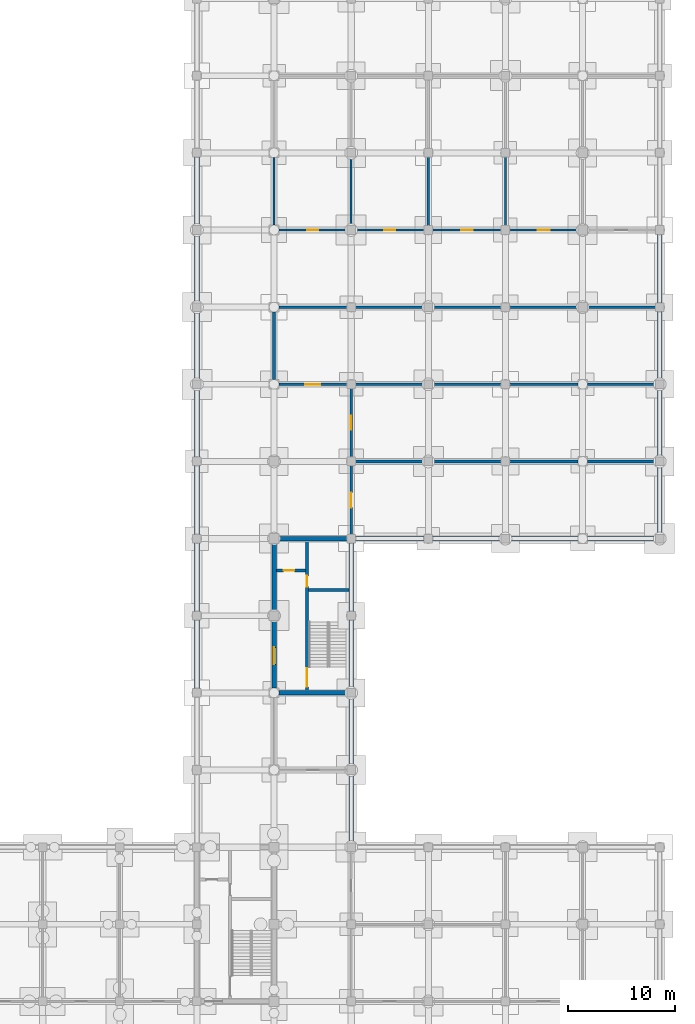
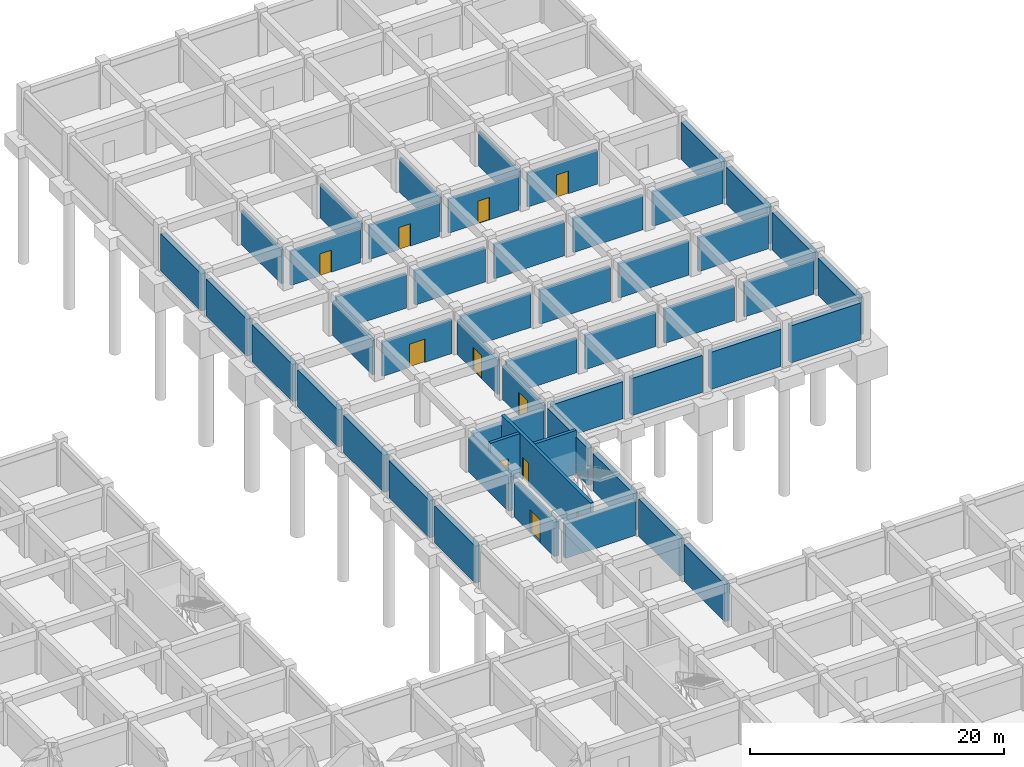
# One storey, part 22 of 25: 51 walls, 11 doors, 11 openings.
"""IFC4 building model written with IfcOpenShell, lengths in metres."""

from ifc_helpers import new_model, si_unit, direction, frame, frame_2d, origin, place, context, subcontext, project, spatial, rectangle, extrude, material, layer, layer_set, type_object, element, fill, save


model = new_model("IFC4")

# Units and contexts
model_context = context("Model", 3, precision=1e-05, world=origin(), true_north=direction((0.0, 1.0)))
body_context = subcontext(model_context, "Body", "Model", "MODEL_VIEW")
ifc_project = project(units=[si_unit("LENGTHUNIT", "METRE"), si_unit("AREAUNIT", "SQUARE_METRE"), si_unit("VOLUMEUNIT", "CUBIC_METRE"), si_unit("PLANEANGLEUNIT", "RADIAN"), si_unit("MASSUNIT", "GRAM", prefix="KILO")], contexts=[model_context])

# Site, building, storey
site_placement = place(None, origin())
site = spatial("IfcSite", under=ifc_project, at=site_placement, CompositionType="ELEMENT")
building_placement = place(site_placement, origin())
building = spatial("IfcBuilding", under=site, at=building_placement, Name="Cendaluz Park School", CompositionType="ELEMENT")
storey_placement = place(building_placement, frame((0.0, 0.0, -4.5)))
storey = spatial("IfcBuildingStorey", under=building, at=storey_placement, Name="B1", CompositionType="ELEMENT", Elevation=-4.5)

# Wall, opening, door
ifc_material_1 = material(Name="Gypsum Plasterboard on Cold-Formed Stud", Category="gypsum")
ifc_layer_1 = layer(ifc_material_1, 0.199951171875)
ifc_layer_set_1 = layer_set([ifc_layer_1], Name="Gypsum Plasterboard on Cold-Formed Stud")
wall_type_1 = type_object("IfcWallType", Name="W-AC20", PredefinedType="PARTITIONING", material=ifc_layer_set_1)
wall_1_placement = place(storey_placement, frame((137.25, 86.39990234375, 0.0), z_axis=(0.0, 0.0, 1.0), x_axis=(1.0, 0.0, 0.0)))
wall_1 = element("IfcWall", 1, at=wall_1_placement, inside=storey, type_object=wall_type_1, Name="WL-BA-CD7", PredefinedType="PARTITIONING", context=body_context, shape_type="SweptSolid", body=[
    extrude(rectangle(XDim=6.35009765625, YDim=0.199951171875, at=frame_2d((3.175048828125, 0.0))), origin(), (0.0, 0.0, 1.0), 3.300048828125),
])
opening_1_placement = place(wall_1_placement, frame((2.6650390625, 0.0, 0.0)))
opening_1 = element("IfcOpeningElement", 2, at=opening_1_placement, cuts=wall_1, Name="Opening DCL-02", PredefinedType="OPENING", context=body_context, shape_type="SweptSolid", body=[
    extrude(rectangle(XDim=1.02001953125, YDim=2.1201171875, at=frame_2d((0.510009765625, 1.06005859375))), frame((0.0, 0.112060546875, 0.0), z_axis=(0.0, -1.0, 0.0), x_axis=(1.0, 0.0, 0.0)), (0.0, 0.0, 1.0), 0.223876953125),
])
ifc_material_2 = material(Name="Solid Core Hardwood", Category="wood")
door_type_1 = type_object("IfcDoorType", Name="DCL-02", OperationType="NOTDEFINED", PredefinedType="DOOR", material=ifc_material_2)
door_1_placement = place(opening_1_placement, origin())
door_1 = element("IfcDoor", 3, at=door_1_placement, inside=storey, type_object=door_type_1, Name="D-B1-046", OperationType="SINGLE_SWING_LEFT", OverallHeight=2.1201171875, OverallWidth=1.02001953125, PredefinedType="DOOR", context=body_context, shape_type="SweptSolid", body=[
    extrude(rectangle(XDim=1.02001953125, YDim=2.1201171875, at=frame_2d((0.510009765625, 1.06005859375))), frame((0.0, 0.02490234375, 0.0), z_axis=(0.0, -1.0, 0.0), x_axis=(1.0, 0.0, 0.0)), (0.0, 0.0, 1.0), 0.050048828125),
])
fill(opening_1, door_1)

# Walls
wall_2_placement = place(storey_placement, frame((136.800048828125, 86.85009765625, 0.0), z_axis=(0.0, 0.0, 1.0), x_axis=(0.0, 1.0, 0.0)))
element("IfcWall", 4, at=wall_2_placement, inside=storey, type_object=wall_type_1, Name="WL-BA-CD8", PredefinedType="PARTITIONING", context=body_context, shape_type="SweptSolid", body=[
    extrude(rectangle(XDim=6.2998046875, YDim=0.199951171875, at=frame_2d((3.14990234375, 0.0))), origin(), (0.0, 0.0, 1.0), 3.300048828125),
])
wall_3_placement = place(storey_placement, frame((144.0, 86.800048828125, 0.0), z_axis=(0.0, 0.0, 1.0), x_axis=(0.0, 1.0, 0.0)))
element("IfcWall", 5, at=wall_3_placement, inside=storey, type_object=wall_type_1, Name="WL-BA-CD9", PredefinedType="PARTITIONING", context=body_context, shape_type="SweptSolid", body=[
    extrude(rectangle(XDim=6.39990234375, YDim=0.199951171875, at=frame_2d((3.199951171875, 0.0))), origin(), (0.0, 0.0, 1.0), 3.300048828125),
])

# Wall, opening, door
wall_4_placement = place(storey_placement, frame((144.39990234375, 86.39990234375, 0.0), z_axis=(0.0, 0.0, 1.0), x_axis=(1.0, 0.0, 0.0)))
wall_4 = element("IfcWall", 6, at=wall_4_placement, inside=storey, type_object=wall_type_1, Name="WL-BA-CE3", PredefinedType="PARTITIONING", context=body_context, shape_type="SweptSolid", body=[
    extrude(rectangle(XDim=6.400146484375, YDim=0.199951171875, at=frame_2d((3.2001953125, 0.0))), origin(), (0.0, 0.0, 1.0), 3.300048828125),
])
opening_2_placement = place(wall_4_placement, frame((2.679931640625, 0.0, 0.0)))
opening_2 = element("IfcOpeningElement", 7, at=opening_2_placement, cuts=wall_4, Name="Opening DCL-03", PredefinedType="OPENING", context=body_context, shape_type="SweptSolid", body=[
    extrude(rectangle(XDim=1.0400390625, YDim=2.139892578125, at=frame_2d((0.52001953125, 1.06982421875))), frame((0.0, 0.112060546875, 0.0), z_axis=(0.0, -1.0, 0.0), x_axis=(1.0, 0.0, 0.0)), (0.0, 0.0, 1.0), 0.223876953125),
])
door_type_2 = type_object("IfcDoorType", Name="DCL-03", OperationType="NOTDEFINED", PredefinedType="DOOR", material=ifc_material_2)
door_2_placement = place(opening_2_placement, origin())
door_2 = element("IfcDoor", 8, at=door_2_placement, inside=storey, type_object=door_type_2, Name="D-B1-047", OperationType="SINGLE_SWING_RIGHT", OverallHeight=2.139892578125, OverallWidth=1.0400390625, PredefinedType="DOOR", context=body_context, shape_type="SweptSolid", body=[
    extrude(rectangle(XDim=1.0400390625, YDim=2.139892578125, at=frame_2d((0.52001953125, 1.06982421875))), frame((0.0, 0.02490234375, 0.0), z_axis=(0.0, -1.0, 0.0), x_axis=(1.0, 0.0, 0.0)), (0.0, 0.0, 1.0), 0.050048828125),
])
fill(opening_2, door_2)

# Wall
wall_5_placement = place(storey_placement, frame((151.199951171875, 86.800048828125, 0.0), z_axis=(0.0, 0.0, 1.0), x_axis=(0.0, 1.0, 0.0)))
element("IfcWall", 9, at=wall_5_placement, inside=storey, type_object=wall_type_1, Name="WL-BA-CE4", PredefinedType="PARTITIONING", context=body_context, shape_type="SweptSolid", body=[
    extrude(rectangle(XDim=6.39990234375, YDim=0.199951171875, at=frame_2d((3.199951171875, 0.0))), origin(), (0.0, 0.0, 1.0), 3.300048828125),
])

# Wall, opening, door
wall_6_placement = place(storey_placement, frame((151.60009765625, 86.39990234375, 0.0), z_axis=(0.0, 0.0, 1.0), x_axis=(1.0, 0.0, 0.0)))
wall_6 = element("IfcWall", 10, at=wall_6_placement, inside=storey, type_object=wall_type_1, Name="WL-BA-CE7", PredefinedType="PARTITIONING", context=body_context, shape_type="SweptSolid", body=[
    extrude(rectangle(XDim=6.39990234375, YDim=0.199951171875, at=frame_2d((3.199951171875, 0.0))), origin(), (0.0, 0.0, 1.0), 3.300048828125),
])
opening_3_placement = place(wall_6_placement, frame((2.669921875, 0.0, 0.0)))
opening_3 = element("IfcOpeningElement", 11, at=opening_3_placement, cuts=wall_6, Name="Opening DCL-04", PredefinedType="OPENING", context=body_context, shape_type="SweptSolid", body=[
    extrude(rectangle(XDim=1.06005859375, YDim=2.159912109375, at=frame_2d((0.530029296875, 1.080078125))), frame((0.0, 0.112060546875, 0.0), z_axis=(0.0, -1.0, 0.0), x_axis=(1.0, 0.0, 0.0)), (0.0, 0.0, 1.0), 0.223876953125),
])
door_type_3 = type_object("IfcDoorType", Name="DCL-04", OperationType="NOTDEFINED", PredefinedType="DOOR", material=ifc_material_2)
door_3_placement = place(opening_3_placement, origin())
door_3 = element("IfcDoor", 12, at=door_3_placement, inside=storey, type_object=door_type_3, Name="D-B1-048", OperationType="SINGLE_SWING_LEFT", OverallHeight=2.159912109375, OverallWidth=1.06005859375, PredefinedType="DOOR", context=body_context, shape_type="SweptSolid", body=[
    extrude(rectangle(XDim=1.06005859375, YDim=2.159912109375, at=frame_2d((0.530029296875, 1.080078125))), frame((0.0, 0.02490234375, 0.0), z_axis=(0.0, -1.0, 0.0), x_axis=(1.0, 0.0, 0.0)), (0.0, 0.0, 1.0), 0.050048828125),
])
fill(opening_3, door_3)

# Wall
wall_7_placement = place(storey_placement, frame((158.39990234375, 86.800048828125, 0.0), z_axis=(0.0, 0.0, 1.0), x_axis=(0.0, 1.0, 0.0)))
element("IfcWall", 13, at=wall_7_placement, inside=storey, type_object=wall_type_1, Name="WL-BA-CE8", PredefinedType="PARTITIONING", context=body_context, shape_type="SweptSolid", body=[
    extrude(rectangle(XDim=6.39990234375, YDim=0.199951171875, at=frame_2d((3.199951171875, 0.0))), origin(), (0.0, 0.0, 1.0), 3.300048828125),
])

# Wall, opening, door
wall_8_placement = place(storey_placement, frame((158.800048828125, 86.39990234375, 0.0), z_axis=(0.0, 0.0, 1.0), x_axis=(1.0, 0.0, 0.0)))
wall_8 = element("IfcWall", 14, at=wall_8_placement, inside=storey, type_object=wall_type_1, Name="WL-BA-CF1", PredefinedType="PARTITIONING", context=body_context, shape_type="SweptSolid", body=[
    extrude(rectangle(XDim=6.349853515625, YDim=0.199951171875, at=frame_2d((3.1748046875, 0.0))), origin(), (0.0, 0.0, 1.0), 3.300048828125),
])
opening_4_placement = place(wall_8_placement, frame((2.635009765625, 0.0, 0.0)))
opening_4 = element("IfcOpeningElement", 15, at=opening_4_placement, cuts=wall_8, Name="Opening DCL-05", PredefinedType="OPENING", context=body_context, shape_type="SweptSolid", body=[
    extrude(rectangle(XDim=1.080078125, YDim=2.179931640625, at=frame_2d((0.5400390625, 1.08984375))), frame((0.0, 0.112060546875, 0.0), z_axis=(0.0, -1.0, 0.0), x_axis=(1.0, 0.0, 0.0)), (0.0, 0.0, 1.0), 0.223876953125),
])
door_type_4 = type_object("IfcDoorType", Name="DCL-05", OperationType="NOTDEFINED", PredefinedType="DOOR", material=ifc_material_2)
door_4_placement = place(opening_4_placement, origin())
door_4 = element("IfcDoor", 16, at=door_4_placement, inside=storey, type_object=door_type_4, Name="D-B1-049", OperationType="SINGLE_SWING_RIGHT", OverallHeight=2.179931640625, OverallWidth=1.080078125, PredefinedType="DOOR", context=body_context, shape_type="SweptSolid", body=[
    extrude(rectangle(XDim=1.080078125, YDim=2.179931640625, at=frame_2d((0.5400390625, 1.08984375))), frame((0.0, 0.02490234375, 0.0), z_axis=(0.0, -1.0, 0.0), x_axis=(1.0, 0.0, 0.0)), (0.0, 0.0, 1.0), 0.050048828125),
])
fill(opening_4, door_4)

# Wall
ifc_layer_2 = layer(ifc_material_1, 0.25)
ifc_layer_set_2 = layer_set([ifc_layer_2], Name="Gypsum Plasterboard on Cold-Formed Stud")
wall_type_2 = type_object("IfcWallType", Name="W-CP25", PredefinedType="PARTITIONING", material=ifc_layer_set_2)
wall_9_placement = place(storey_placement, frame((144.39990234375, 64.800048828125, 0.0), z_axis=(0.0, 0.0, 1.0), x_axis=(1.0, 0.0, 0.0)))
element("IfcWall", 17, at=wall_9_placement, inside=storey, type_object=wall_type_2, Name="WL-BA-BZ0", PredefinedType="PARTITIONING", context=body_context, shape_type="SweptSolid", body=[
    extrude(rectangle(XDim=6.400146484375, YDim=0.25, at=frame_2d((3.2001953125, 0.0))), origin(), (0.0, 0.0, 1.0), 3.300048828125),
])

# Wall, opening, door
wall_10_placement = place(storey_placement, frame((144.0, 58.0, 0.0), z_axis=(0.0, 0.0, 1.0), x_axis=(0.0, 1.0, 0.0)))
wall_10 = element("IfcWall", 18, at=wall_10_placement, inside=storey, type_object=wall_type_2, Name="WL-BA-BZ1", PredefinedType="PARTITIONING", context=body_context, shape_type="SweptSolid", body=[
    extrude(rectangle(XDim=6.39990234375, YDim=0.25, at=frame_2d((3.199951171875, 0.0))), origin(), (0.0, 0.0, 1.0), 3.300048828125),
])
opening_5_placement = place(wall_10_placement, frame((2.5, 0.0, 0.0)))
opening_5 = element("IfcOpeningElement", 19, at=opening_5_placement, cuts=wall_10, Name="Opening DPL-01", PredefinedType="OPENING", context=body_context, shape_type="SweptSolid", body=[
    extrude(rectangle(XDim=1.39990234375, YDim=2.25, at=frame_2d((0.699951171875, 1.125))), frame((0.0, 0.136962890625, 0.0), z_axis=(0.0, -1.0, 0.0), x_axis=(1.0, 0.0, 0.0)), (0.0, 0.0, 1.0), 0.27392578125),
])
door_type_5 = type_object("IfcDoorType", Name="DPL-01", OperationType="DOUBLE_DOOR_SINGLE_SWING", PredefinedType="DOOR", material=ifc_material_2)
door_5_placement = place(opening_5_placement, origin())
door_5 = element("IfcDoor", 20, at=door_5_placement, inside=storey, type_object=door_type_5, Name="D-B1-037", OperationType="DOUBLE_DOOR_SINGLE_SWING", OverallHeight=2.25, OverallWidth=1.39990234375, PredefinedType="DOOR", context=body_context, shape_type="SweptSolid", body=[
    extrude(rectangle(XDim=1.39990234375, YDim=2.25, at=frame_2d((0.699951171875, 1.125))), frame((0.0, 0.02490234375, 0.0), z_axis=(0.0, -1.0, 0.0), x_axis=(1.0, 0.0, 0.0)), (0.0, 0.0, 1.0), 0.050048828125),
])
fill(opening_5, door_5)

# Walls
wall_11_placement = place(storey_placement, frame((151.60009765625, 64.800048828125, 0.0), z_axis=(0.0, 0.0, 1.0), x_axis=(1.0, 0.0, 0.0)))
element("IfcWall", 21, at=wall_11_placement, inside=storey, type_object=wall_type_2, Name="WL-BA-BZ2", PredefinedType="PARTITIONING", context=body_context, shape_type="SweptSolid", body=[
    extrude(rectangle(XDim=6.39990234375, YDim=0.25, at=frame_2d((3.199951171875, 0.0))), origin(), (0.0, 0.0, 1.0), 3.300048828125),
])
for number, where, z_axis, x_axis, name in (
    (22, (158.800048828125, 64.800048828125, 0.0), (0.0, 0.0, 1.0), (1.0, 0.0, 0.0), "WL-BA-BZ3"),
    (23, (166.050048828125, 64.800048828125, 0.0), (0.0, 0.0, 1.0), (1.0, 0.0, 0.0), "WL-BA-BZ4"),
):
    element("IfcWall", number, at=place(storey_placement, frame(where, z_axis=z_axis, x_axis=x_axis)), inside=storey, type_object=wall_type_2, Name=name, PredefinedType="PARTITIONING", context=body_context, shape_type="SweptSolid", body=[
        extrude(rectangle(XDim=6.349853515625, YDim=0.25, at=frame_2d((3.1748046875, 0.0))), origin(), (0.0, 0.0, 1.0), 3.300048828125),
    ])
wall_12_placement = place(storey_placement, frame((144.39990234375, 72.0, 0.0), z_axis=(0.0, 0.0, 1.0), x_axis=(1.0, 0.0, 0.0)))
element("IfcWall", 24, at=wall_12_placement, inside=storey, type_object=wall_type_2, Name="WL-BA-BZ5", PredefinedType="PARTITIONING", context=body_context, shape_type="SweptSolid", body=[
    extrude(rectangle(XDim=6.400146484375, YDim=0.25, at=frame_2d((3.2001953125, 0.0))), origin(), (0.0, 0.0, 1.0), 3.300048828125),
])

# Wall, opening, door
wall_13_placement = place(storey_placement, frame((144.0, 65.199951171875, 0.0), z_axis=(0.0, 0.0, 1.0), x_axis=(0.0, 1.0, 0.0)))
wall_13 = element("IfcWall", 25, at=wall_13_placement, inside=storey, type_object=wall_type_2, Name="WL-BA-BZ6", PredefinedType="PARTITIONING", context=body_context, shape_type="SweptSolid", body=[
    extrude(rectangle(XDim=6.400146484375, YDim=0.25, at=frame_2d((3.2001953125, 0.0))), origin(), (0.0, 0.0, 1.0), 3.300048828125),
])
opening_6_placement = place(wall_13_placement, frame((2.550048828125, 0.0, 0.0)))
opening_6 = element("IfcOpeningElement", 26, at=opening_6_placement, cuts=wall_13, Name="Opening DPL-02", PredefinedType="OPENING", context=body_context, shape_type="SweptSolid", body=[
    extrude(rectangle(XDim=1.300048828125, YDim=2.199951171875, at=frame_2d((0.64990234375, 1.10009765625))), frame((0.0, 0.136962890625, 0.0), z_axis=(0.0, -1.0, 0.0), x_axis=(1.0, 0.0, 0.0)), (0.0, 0.0, 1.0), 0.27392578125),
])
door_type_6 = type_object("IfcDoorType", Name="DPL-02", OperationType="DOUBLE_DOOR_SINGLE_SWING", PredefinedType="DOOR", material=ifc_material_2)
door_6_placement = place(opening_6_placement, origin())
door_6 = element("IfcDoor", 27, at=door_6_placement, inside=storey, type_object=door_type_6, Name="D-B1-038", OperationType="DOUBLE_DOOR_SINGLE_SWING", OverallHeight=2.199951171875, OverallWidth=1.300048828125, PredefinedType="DOOR", context=body_context, shape_type="SweptSolid", body=[
    extrude(rectangle(XDim=1.300048828125, YDim=2.199951171875, at=frame_2d((0.64990234375, 1.10009765625))), frame((0.0, 0.02490234375, 0.0), z_axis=(0.0, -1.0, 0.0), x_axis=(1.0, 0.0, 0.0)), (0.0, 0.0, 1.0), 0.050048828125),
])
fill(opening_6, door_6)

# Walls
wall_14_placement = place(storey_placement, frame((151.60009765625, 72.0, 0.0), z_axis=(0.0, 0.0, 1.0), x_axis=(1.0, 0.0, 0.0)))
element("IfcWall", 28, at=wall_14_placement, inside=storey, type_object=wall_type_2, Name="WL-BA-BZ7", PredefinedType="PARTITIONING", context=body_context, shape_type="SweptSolid", body=[
    extrude(rectangle(XDim=6.39990234375, YDim=0.25, at=frame_2d((3.199951171875, 0.0))), origin(), (0.0, 0.0, 1.0), 3.300048828125),
])
for number, where, z_axis, x_axis, name in (
    (29, (158.800048828125, 72.0, 0.0), (0.0, 0.0, 1.0), (1.0, 0.0, 0.0), "WL-BA-BZ8"),
    (30, (166.050048828125, 72.0, 0.0), (0.0, 0.0, 1.0), (1.0, 0.0, 0.0), "WL-BA-BZ9"),
):
    element("IfcWall", number, at=place(storey_placement, frame(where, z_axis=z_axis, x_axis=x_axis)), inside=storey, type_object=wall_type_2, Name=name, PredefinedType="PARTITIONING", context=body_context, shape_type="SweptSolid", body=[
        extrude(rectangle(XDim=6.349853515625, YDim=0.25, at=frame_2d((3.1748046875, 0.0))), origin(), (0.0, 0.0, 1.0), 3.300048828125),
    ])

# Wall, opening, door
wall_15_placement = place(storey_placement, frame((137.25, 72.0, 0.0), z_axis=(0.0, 0.0, 1.0), x_axis=(1.0, 0.0, 0.0)))
wall_15 = element("IfcWall", 31, at=wall_15_placement, inside=storey, type_object=wall_type_2, Name="WL-BA-CA0", PredefinedType="PARTITIONING", context=body_context, shape_type="SweptSolid", body=[
    extrude(rectangle(XDim=6.35009765625, YDim=0.25, at=frame_2d((3.175048828125, 0.0))), origin(), (0.0, 0.0, 1.0), 3.300048828125),
])
opening_7_placement = place(wall_15_placement, frame((2.47509765625, 0.0, 0.0)))
opening_7 = element("IfcOpeningElement", 32, at=opening_7_placement, cuts=wall_15, Name="Opening DPL-01", PredefinedType="OPENING", context=body_context, shape_type="SweptSolid", body=[
    extrude(rectangle(XDim=1.39990234375, YDim=2.25, at=frame_2d((0.699951171875, 1.125))), frame((0.0, 0.136962890625, 0.0), z_axis=(0.0, -1.0, 0.0), x_axis=(1.0, 0.0, 0.0)), (0.0, 0.0, 1.0), 0.27392578125),
])
door_7_placement = place(opening_7_placement, frame((1.39990234375, 0.0, 0.0), z_axis=(0.0, 0.0, 1.0), x_axis=(-1.0, 0.0, 0.0)))
door_7 = element("IfcDoor", 33, at=door_7_placement, inside=storey, type_object=door_type_5, Name="D-B1-039", OperationType="DOUBLE_DOOR_SINGLE_SWING", OverallHeight=2.25, OverallWidth=1.39990234375, PredefinedType="DOOR", context=body_context, shape_type="SweptSolid", body=[
    extrude(rectangle(XDim=1.39990234375, YDim=2.25, at=frame_2d((0.699951171875, 1.125))), frame((0.0, 0.02490234375, 0.0), z_axis=(0.0, -1.0, 0.0), x_axis=(1.0, 0.0, 0.0)), (0.0, 0.0, 1.0), 0.050048828125),
])
fill(opening_7, door_7)

# Walls
wall_16_placement = place(storey_placement, frame((137.25, 79.199951171875, 0.0), z_axis=(0.0, 0.0, 1.0), x_axis=(1.0, 0.0, 0.0)))
element("IfcWall", 34, at=wall_16_placement, inside=storey, type_object=wall_type_2, Name="WL-BA-CA1", PredefinedType="PARTITIONING", context=body_context, shape_type="SweptSolid", body=[
    extrude(rectangle(XDim=6.35009765625, YDim=0.25, at=frame_2d((3.175048828125, 0.0))), origin(), (0.0, 0.0, 1.0), 3.300048828125),
])
wall_17_placement = place(storey_placement, frame((136.800048828125, 72.449951171875, 0.0), z_axis=(0.0, 0.0, 1.0), x_axis=(0.0, 1.0, 0.0)))
element("IfcWall", 35, at=wall_17_placement, inside=storey, type_object=wall_type_2, Name="WL-BA-CA2", PredefinedType="PARTITIONING", context=body_context, shape_type="SweptSolid", body=[
    extrude(rectangle(XDim=6.300048828125, YDim=0.25, at=frame_2d((3.14990234375, 0.0))), origin(), (0.0, 0.0, 1.0), 3.300048828125),
])
wall_18_placement = place(storey_placement, frame((144.39990234375, 79.199951171875, 0.0), z_axis=(0.0, 0.0, 1.0), x_axis=(1.0, 0.0, 0.0)))
element("IfcWall", 36, at=wall_18_placement, inside=storey, type_object=wall_type_2, Name="WL-BA-CA3", PredefinedType="PARTITIONING", context=body_context, shape_type="SweptSolid", body=[
    extrude(rectangle(XDim=6.400146484375, YDim=0.25, at=frame_2d((3.2001953125, 0.0))), origin(), (0.0, 0.0, 1.0), 3.300048828125),
])
wall_19_placement = place(storey_placement, frame((151.60009765625, 79.199951171875, 0.0), z_axis=(0.0, 0.0, 1.0), x_axis=(1.0, 0.0, 0.0)))
element("IfcWall", 37, at=wall_19_placement, inside=storey, type_object=wall_type_2, Name="WL-BA-CA4", PredefinedType="PARTITIONING", context=body_context, shape_type="SweptSolid", body=[
    extrude(rectangle(XDim=6.39990234375, YDim=0.25, at=frame_2d((3.199951171875, 0.0))), origin(), (0.0, 0.0, 1.0), 3.300048828125),
])
for number, where, z_axis, x_axis, name in (
    (38, (158.800048828125, 79.199951171875, 0.0), (0.0, 0.0, 1.0), (1.0, 0.0, 0.0), "WL-BA-CA5"),
    (39, (166.050048828125, 79.199951171875, 0.0), (0.0, 0.0, 1.0), (1.0, 0.0, 0.0), "WL-BA-CA6"),
):
    element("IfcWall", number, at=place(storey_placement, frame(where, z_axis=z_axis, x_axis=x_axis)), inside=storey, type_object=wall_type_2, Name=name, PredefinedType="PARTITIONING", context=body_context, shape_type="SweptSolid", body=[
        extrude(rectangle(XDim=6.349853515625, YDim=0.25, at=frame_2d((3.1748046875, 0.0))), origin(), (0.0, 0.0, 1.0), 3.300048828125),
    ])

# Wall, openings, doors
ifc_material_3 = material(Name="Concrete C40/50", Category="concrete")
ifc_layer_3 = layer(ifc_material_3, 0.280029296875)
ifc_layer_set_3 = layer_set([ifc_layer_3], Name="Concrete C40/50")
wall_type_3 = type_object("IfcWallType", Name="W-FW28", PredefinedType="SHEAR", material=ifc_layer_set_3)
wall_20_placement = place(storey_placement, frame((139.8798828125, 43.39990234375, 0.0), z_axis=(0.0, 0.0, 1.0), x_axis=(0.0, 1.0, 0.0)))
wall_20 = element("IfcWall", 40, at=wall_20_placement, inside=storey, type_object=wall_type_3, Name="WL-BA-BX7", PredefinedType="SHEAR", context=body_context, shape_type="SweptSolid", body=[
    extrude(rectangle(XDim=14.0, YDim=0.280029296875, at=frame_2d((7.0, 0.0))), origin(), (0.0, 0.0, 1.0), 4.199951171875),
])
opening_8_placement = place(wall_20_placement, frame((0.35009765625, 0.0, 0.0)))
opening_8 = element("IfcOpeningElement", 41, at=opening_8_placement, cuts=wall_20, Name="Opening DST-03", PredefinedType="OPENING", context=body_context, shape_type="SweptSolid", body=[
    extrude(rectangle(XDim=1.75, YDim=2.14990234375, at=frame_2d((0.875, 1.074951171875))), frame((0.0, 0.152099609375, 0.0), z_axis=(0.0, -1.0, 0.0), x_axis=(1.0, 0.0, 0.0)), (0.0, 0.0, 1.0), 0.303955078125),
])
opening_9_placement = place(wall_20_placement, frame((9.719970703125, 0.0, 0.0)))
opening_9 = element("IfcOpeningElement", 42, at=opening_9_placement, cuts=wall_20, Name="Opening DFC-01", PredefinedType="OPENING", context=body_context, shape_type="SweptSolid", body=[
    extrude(rectangle(XDim=1.0, YDim=2.14990234375, at=frame_2d((0.5, 1.074951171875))), frame((0.0, 0.152099609375, 0.0), z_axis=(0.0, -1.0, 0.0), x_axis=(1.0, 0.0, 0.0)), (0.0, 0.0, 1.0), 0.303955078125),
])
door_type_7 = type_object("IfcDoorType", Name="DFC-01", OperationType="NOTDEFINED", PredefinedType="DOOR", material=ifc_material_2)
door_8_placement = place(opening_9_placement, frame((1.0, 0.0, 0.0), z_axis=(0.0, 0.0, 1.0), x_axis=(-1.0, 0.0, 0.0)))
door_8 = element("IfcDoor", 43, at=door_8_placement, inside=storey, type_object=door_type_7, Name="D-B1-033", OperationType="SINGLE_SWING_LEFT", OverallHeight=2.14990234375, OverallWidth=1.0, PredefinedType="DOOR", context=body_context, shape_type="SweptSolid", body=[
    extrude(rectangle(XDim=1.0, YDim=2.14990234375, at=frame_2d((0.5, 1.074951171875))), frame((0.0, 0.02490234375, 0.0), z_axis=(0.0, -1.0, 0.0), x_axis=(1.0, 0.0, 0.0)), (0.0, 0.0, 1.0), 0.050048828125),
])
fill(opening_9, door_8)
door_type_8 = type_object("IfcDoorType", Name="DST-03", OperationType="DOUBLE_DOOR_SINGLE_SWING", PredefinedType="DOOR", material=ifc_material_2)
door_9_placement = place(opening_8_placement, frame((1.75, 0.0, 0.0), z_axis=(0.0, 0.0, 1.0), x_axis=(-1.0, 0.0, 0.0)))
door_9 = element("IfcDoor", 44, at=door_9_placement, inside=storey, type_object=door_type_8, Name="D-B1-032", OperationType="DOUBLE_DOOR_SINGLE_SWING", OverallHeight=2.14990234375, OverallWidth=1.75, PredefinedType="DOOR", context=body_context, shape_type="SweptSolid", body=[
    extrude(rectangle(XDim=1.75, YDim=2.14990234375, at=frame_2d((0.875, 1.074951171875))), frame((0.0, 0.02490234375, 0.0), z_axis=(0.0, -1.0, 0.0), x_axis=(1.0, 0.0, 0.0)), (0.0, 0.0, 1.0), 0.050048828125),
])
fill(opening_8, door_9)

# Wall
wall_21_placement = place(storey_placement, frame((140.02001953125, 52.780029296875, 0.0), z_axis=(0.0, 0.0, 1.0), x_axis=(1.0, 0.0, 0.0)))
element("IfcWall", 45, at=wall_21_placement, inside=storey, type_object=wall_type_3, Name="WL-BA-BX8", PredefinedType="SHEAR", context=body_context, shape_type="SweptSolid", body=[
    extrude(rectangle(XDim=3.780029296875, YDim=0.280029296875, at=frame_2d((1.89013671875, 0.0))), origin(), (0.0, 0.0, 1.0), 4.199951171875),
])

# Wall, opening, door
wall_22_placement = place(storey_placement, frame((137.0400390625, 54.60009765625, 0.0), z_axis=(0.0, 0.0, 1.0), x_axis=(1.0, 0.0, 0.0)))
wall_22 = element("IfcWall", 46, at=wall_22_placement, inside=storey, type_object=wall_type_3, Name="WL-BA-BX9", PredefinedType="SHEAR", context=body_context, shape_type="SweptSolid", body=[
    extrude(rectangle(XDim=2.679931640625, YDim=0.280029296875, at=frame_2d((1.33984375, 0.0))), origin(), (0.0, 0.0, 1.0), 4.199951171875),
])
opening_10_placement = place(wall_22_placement, frame((0.64990234375, 0.0, 0.0)))
opening_10 = element("IfcOpeningElement", 47, at=opening_10_placement, cuts=wall_22, Name="Opening DFC-01", PredefinedType="OPENING", context=body_context, shape_type="SweptSolid", body=[
    extrude(rectangle(XDim=1.0, YDim=2.14990234375, at=frame_2d((0.5, 1.074951171875))), frame((0.0, 0.152099609375, 0.0), z_axis=(0.0, -1.0, 0.0), x_axis=(1.0, 0.0, 0.0)), (0.0, 0.0, 1.0), 0.303955078125),
])
door_10_placement = place(opening_10_placement, frame((1.0, 0.0, 0.0), z_axis=(0.0, 0.0, 1.0), x_axis=(-1.0, 0.0, 0.0)))
door_10 = element("IfcDoor", 48, at=door_10_placement, inside=storey, type_object=door_type_7, Name="D-B1-034", OperationType="SINGLE_SWING_RIGHT", OverallHeight=2.14990234375, OverallWidth=1.0, PredefinedType="DOOR", context=body_context, shape_type="SweptSolid", body=[
    extrude(rectangle(XDim=1.0, YDim=2.14990234375, at=frame_2d((0.5, 1.074951171875))), frame((0.0, 0.02490234375, 0.0), z_axis=(0.0, -1.0, 0.0), x_axis=(1.0, 0.0, 0.0)), (0.0, 0.0, 1.0), 0.050048828125),
])
fill(opening_10, door_10)

# Walls
ifc_layer_4 = layer(ifc_material_3, 0.449951171875)
ifc_layer_set_4 = layer_set([ifc_layer_4], Name="Concrete C40/50")
wall_type_4 = type_object("IfcWallType", Name="W-RT45", PredefinedType="SOLIDWALL", material=ifc_layer_set_4)
for number, where, z_axis, x_axis, name in (
    (49, (129.60009765625, 43.60009765625, 0.0), (0.0, 0.0, 1.0), (0.0, 1.0, 0.0), "WL-BA-AI5"),
    (50, (129.60009765625, 50.800048828125, 0.0), (0.0, 0.0, 1.0), (0.0, 1.0, 0.0), "WL-BA-AI6"),
    (51, (129.60009765625, 58.0, 0.0), (0.0, 0.0, 1.0), (0.0, 1.0, 0.0), "WL-BA-AI7"),
):
    element("IfcWall", number, at=place(storey_placement, frame(where, z_axis=z_axis, x_axis=x_axis)), inside=storey, type_object=wall_type_4, Name=name, PredefinedType="SOLIDWALL", context=body_context, shape_type="SweptSolid", body=[
        extrude(rectangle(XDim=6.39990234375, YDim=0.449951171875, at=frame_2d((3.199951171875, 0.0))), origin(), (0.0, 0.0, 1.0), 3.570068359375),
    ])
for number, where, z_axis, x_axis, name in (
    (52, (129.60009765625, 65.199951171875, 0.0), (0.0, 0.0, 1.0), (0.0, 1.0, 0.0), "WL-BA-AI8"),
    (53, (129.60009765625, 72.39990234375, 0.0), (0.0, 0.0, 1.0), (0.0, 1.0, 0.0), "WL-BA-AI9"),
):
    element("IfcWall", number, at=place(storey_placement, frame(where, z_axis=z_axis, x_axis=x_axis)), inside=storey, type_object=wall_type_4, Name=name, PredefinedType="SOLIDWALL", context=body_context, shape_type="SweptSolid", body=[
        extrude(rectangle(XDim=6.400146484375, YDim=0.449951171875, at=frame_2d((3.2001953125, 0.0))), origin(), (0.0, 0.0, 1.0), 3.570068359375),
    ])
for number, where, z_axis, x_axis, name in (
    (54, (129.60009765625, 79.60009765625, 0.0), (0.0, 0.0, 1.0), (0.0, 1.0, 0.0), "WL-BA-AJ0"),
    (55, (129.60009765625, 86.800048828125, 0.0), (0.0, 0.0, 1.0), (0.0, 1.0, 0.0), "WL-BA-AJ1"),
):
    element("IfcWall", number, at=place(storey_placement, frame(where, z_axis=z_axis, x_axis=x_axis)), inside=storey, type_object=wall_type_4, Name=name, PredefinedType="SOLIDWALL", context=body_context, shape_type="SweptSolid", body=[
        extrude(rectangle(XDim=6.39990234375, YDim=0.449951171875, at=frame_2d((3.199951171875, 0.0))), origin(), (0.0, 0.0, 1.0), 3.570068359375),
    ])
for number, where, z_axis, x_axis, name in (
    (56, (144.0, 29.199951171875, 0.0), (0.0, 0.0, 1.0), (0.0, 1.0, 0.0), "WL-BA-AJ7"),
    (57, (144.0, 36.39990234375, 0.0), (0.0, 0.0, 1.0), (0.0, 1.0, 0.0), "WL-BA-AJ8"),
    (58, (144.39990234375, 57.60009765625, 0.0), (0.0, 0.0, 1.0), (1.0, 0.0, 0.0), "WL-BA-AK2"),
):
    element("IfcWall", number, at=place(storey_placement, frame(where, z_axis=z_axis, x_axis=x_axis)), inside=storey, type_object=wall_type_4, Name=name, PredefinedType="SOLIDWALL", context=body_context, shape_type="SweptSolid", body=[
        extrude(rectangle(XDim=6.400146484375, YDim=0.449951171875, at=frame_2d((3.2001953125, 0.0))), origin(), (0.0, 0.0, 1.0), 3.570068359375),
    ])
wall_23_placement = place(storey_placement, frame((151.60009765625, 57.60009765625, 0.0), z_axis=(0.0, 0.0, 1.0), x_axis=(1.0, 0.0, 0.0)))
element("IfcWall", 59, at=wall_23_placement, inside=storey, type_object=wall_type_4, Name="WL-BA-AK6", PredefinedType="SOLIDWALL", context=body_context, shape_type="SweptSolid", body=[
    extrude(rectangle(XDim=6.39990234375, YDim=0.449951171875, at=frame_2d((3.199951171875, 0.0))), origin(), (0.0, 0.0, 1.0), 3.570068359375),
])
for number, where, z_axis, x_axis, name in (
    (60, (158.800048828125, 57.60009765625, 0.0), (0.0, 0.0, 1.0), (1.0, 0.0, 0.0), "WL-BA-AL0"),
    (61, (166.050048828125, 57.60009765625, 0.0), (0.0, 0.0, 1.0), (1.0, 0.0, 0.0), "WL-BA-AL8"),
):
    element("IfcWall", number, at=place(storey_placement, frame(where, z_axis=z_axis, x_axis=x_axis)), inside=storey, type_object=wall_type_4, Name=name, PredefinedType="SOLIDWALL", context=body_context, shape_type="SweptSolid", body=[
        extrude(rectangle(XDim=6.349853515625, YDim=0.449951171875, at=frame_2d((3.1748046875, 0.0))), origin(), (0.0, 0.0, 1.0), 3.570068359375),
    ])
wall_24_placement = place(storey_placement, frame((172.800048828125, 58.0, 0.0), z_axis=(0.0, 0.0, 1.0), x_axis=(0.0, 1.0, 0.0)))
element("IfcWall", 62, at=wall_24_placement, inside=storey, type_object=wall_type_4, Name="WL-BA-AL9", PredefinedType="SOLIDWALL", context=body_context, shape_type="SweptSolid", body=[
    extrude(rectangle(XDim=6.39990234375, YDim=0.449951171875, at=frame_2d((3.199951171875, 0.0))), origin(), (0.0, 0.0, 1.0), 3.570068359375),
])
for number, where, z_axis, x_axis, name in (
    (63, (172.800048828125, 65.199951171875, 0.0), (0.0, 0.0, 1.0), (0.0, 1.0, 0.0), "WL-BA-AM0"),
    (64, (172.800048828125, 72.39990234375, 0.0), (0.0, 0.0, 1.0), (0.0, 1.0, 0.0), "WL-BA-AM1"),
):
    element("IfcWall", number, at=place(storey_placement, frame(where, z_axis=z_axis, x_axis=x_axis)), inside=storey, type_object=wall_type_4, Name=name, PredefinedType="SOLIDWALL", context=body_context, shape_type="SweptSolid", body=[
        extrude(rectangle(XDim=6.400146484375, YDim=0.449951171875, at=frame_2d((3.2001953125, 0.0))), origin(), (0.0, 0.0, 1.0), 3.570068359375),
    ])
wall_25_placement = place(storey_placement, frame((172.800048828125, 79.60009765625, 0.0), z_axis=(0.0, 0.0, 1.0), x_axis=(0.0, 1.0, 0.0)))
element("IfcWall", 65, at=wall_25_placement, inside=storey, type_object=wall_type_4, Name="WL-BA-AM2", PredefinedType="SOLIDWALL", context=body_context, shape_type="SweptSolid", body=[
    extrude(rectangle(XDim=6.39990234375, YDim=0.449951171875, at=frame_2d((3.199951171875, 0.0))), origin(), (0.0, 0.0, 1.0), 3.570068359375),
])

# Wall, opening, door
ifc_layer_5 = layer(ifc_material_3, 0.419921875)
ifc_layer_set_5 = layer_set([ifc_layer_5], Name="Concrete C40/50")
wall_type_5 = type_object("IfcWallType", Name="W-SH42", PredefinedType="SHEAR", material=ifc_layer_set_5)
wall_26_placement = place(storey_placement, frame((136.800048828125, 43.64990234375, 0.0), z_axis=(0.0, 0.0, 1.0), x_axis=(0.0, 1.0, 0.0)))
wall_26 = element("IfcWall", 66, at=wall_26_placement, inside=storey, type_object=wall_type_5, Name="WL-BA-BX1", PredefinedType="SHEAR", context=body_context, shape_type="SweptSolid", body=[
    extrude(rectangle(XDim=6.300048828125, YDim=0.419921875, at=frame_2d((3.14990234375, 0.0))), origin(), (0.0, 0.0, 1.0), 3.300048828125),
])
opening_11_placement = place(wall_26_placement, frame((2.199951171875, 0.0, 0.0)))
opening_11 = element("IfcOpeningElement", 67, at=opening_11_placement, cuts=wall_26, Name="Opening DLB-01", PredefinedType="OPENING", context=body_context, shape_type="SweptSolid", body=[
    extrude(rectangle(XDim=1.60009765625, YDim=2.199951171875, at=frame_2d((0.800048828125, 1.10009765625))), frame((0.0, 0.221923828125, 0.0), z_axis=(0.0, -1.0, 0.0), x_axis=(1.0, 0.0, 0.0)), (0.0, 0.0, 1.0), 0.44384765625),
])
door_type_9 = type_object("IfcDoorType", Name="DLB-01", OperationType="DOUBLE_DOOR_SINGLE_SWING", PredefinedType="DOOR", material=ifc_material_2)
door_11_placement = place(opening_11_placement, frame((1.60009765625, 0.0, 0.0), z_axis=(0.0, 0.0, 1.0), x_axis=(-1.0, 0.0, 0.0)))
door_11 = element("IfcDoor", 68, at=door_11_placement, inside=storey, type_object=door_type_9, Name="D-B1-031", OperationType="DOUBLE_DOOR_SINGLE_SWING", OverallHeight=2.199951171875, OverallWidth=1.60009765625, PredefinedType="DOOR", context=body_context, shape_type="SweptSolid", body=[
    extrude(rectangle(XDim=1.60009765625, YDim=2.199951171875, at=frame_2d((0.800048828125, 1.10009765625))), frame((0.0, 0.02490234375, 0.0), z_axis=(0.0, -1.0, 0.0), x_axis=(1.0, 0.0, 0.0)), (0.0, 0.0, 1.0), 0.050048828125),
])
fill(opening_11, door_11)

# Walls
wall_27_placement = place(storey_placement, frame((136.800048828125, 50.85009765625, 0.0), z_axis=(0.0, 0.0, 1.0), x_axis=(0.0, 1.0, 0.0)))
element("IfcWall", 69, at=wall_27_placement, inside=storey, type_object=wall_type_5, Name="WL-BA-BX2", PredefinedType="SHEAR", context=body_context, shape_type="SweptSolid", body=[
    extrude(rectangle(XDim=6.2998046875, YDim=0.419921875, at=frame_2d((3.14990234375, 0.0))), origin(), (0.0, 0.0, 1.0), 3.300048828125),
])
for number, where, z_axis, x_axis, name in (
    (70, (144.0, 43.60009765625, 0.0), (0.0, 0.0, 1.0), (0.0, 1.0, 0.0), "WL-BA-BX3"),
    (71, (144.0, 50.800048828125, 0.0), (0.0, 0.0, 1.0), (0.0, 1.0, 0.0), "WL-BA-BX4"),
):
    element("IfcWall", number, at=place(storey_placement, frame(where, z_axis=z_axis, x_axis=x_axis)), inside=storey, type_object=wall_type_5, Name=name, PredefinedType="SHEAR", context=body_context, shape_type="SweptSolid", body=[
        extrude(rectangle(XDim=6.39990234375, YDim=0.419921875, at=frame_2d((3.199951171875, 0.0))), origin(), (0.0, 0.0, 1.0), 3.570068359375),
    ])
for number, where, z_axis, x_axis, name in (
    (72, (137.25, 43.199951171875, 0.0), (0.0, 0.0, 1.0), (1.0, 0.0, 0.0), "WL-BA-BX5"),
    (73, (137.25, 57.60009765625, 0.0), (0.0, 0.0, 1.0), (1.0, 0.0, 0.0), "WL-BA-BX6"),
):
    element("IfcWall", number, at=place(storey_placement, frame(where, z_axis=z_axis, x_axis=x_axis)), inside=storey, type_object=wall_type_5, Name=name, PredefinedType="SHEAR", context=body_context, shape_type="SweptSolid", body=[
        extrude(rectangle(XDim=6.35009765625, YDim=0.419921875, at=frame_2d((3.175048828125, 0.0))), origin(), (0.0, 0.0, 1.0), 3.300048828125),
    ])

save(model, "model.ifc")
